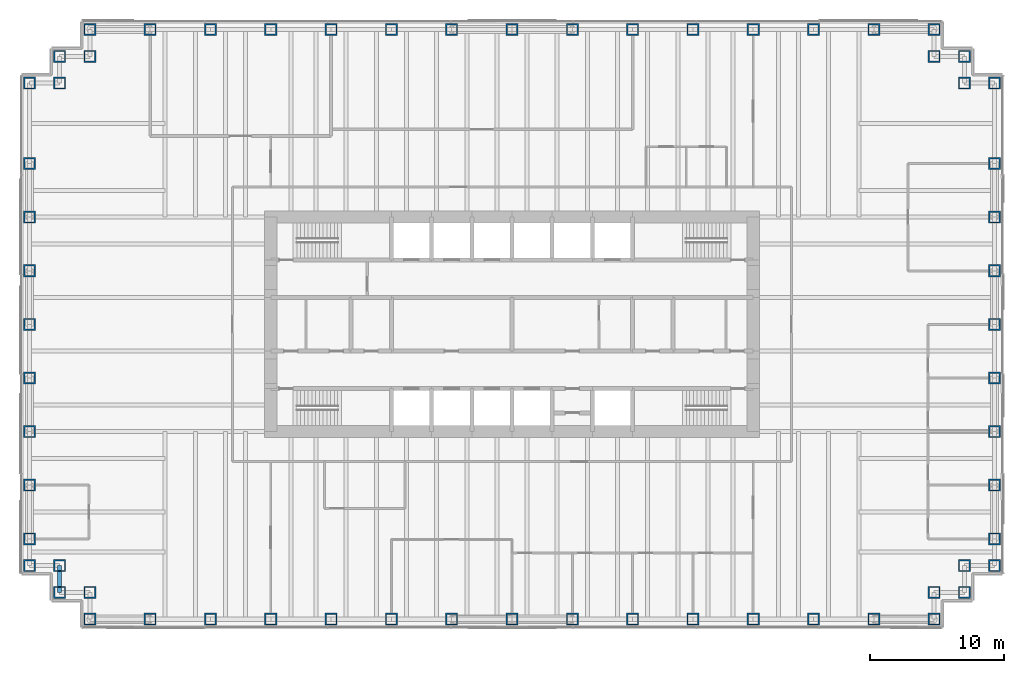
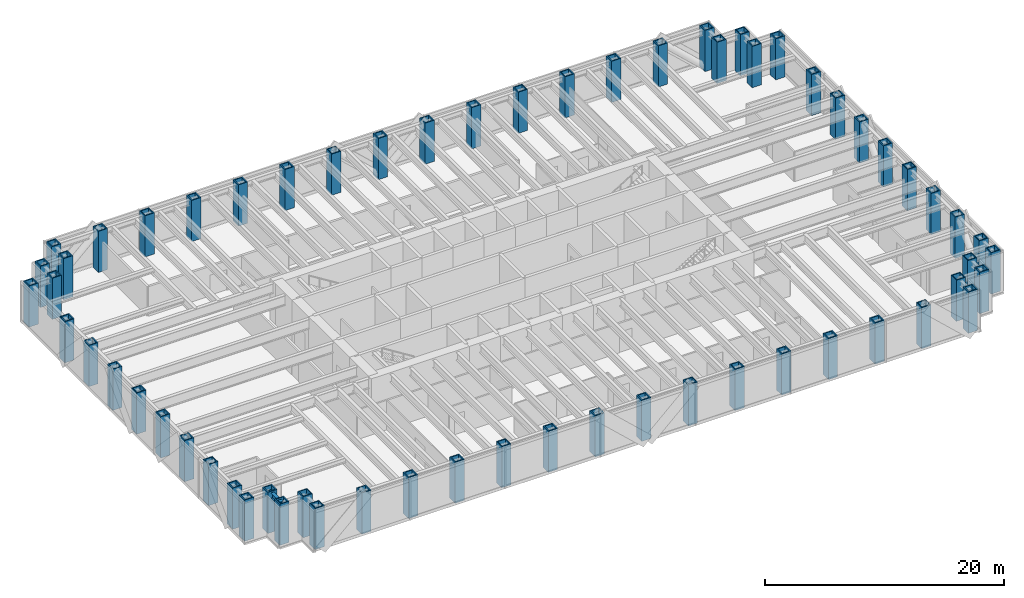
# One storey, part 1 of 15: 62 columns, 1 beam.
"""IFC4 building model written with IfcOpenShell, lengths in metres."""

from ifc_helpers import new_model, si_unit, direction, frame, origin, origin_2d, place, context, subcontext, project, spatial, hollow_rectangle, i_section, extrude, material, material_profile, profile_set, type_object, element, save


model = new_model("IFC4")

# Units and contexts
model_context = context("Model", 3, precision=1e-05, world=origin(), true_north=direction((0.0, 1.0)))
body_context = subcontext(model_context, "Body", "Model", "MODEL_VIEW")
ifc_project = project(units=[si_unit("LENGTHUNIT", "METRE"), si_unit("AREAUNIT", "SQUARE_METRE"), si_unit("VOLUMEUNIT", "CUBIC_METRE"), si_unit("PLANEANGLEUNIT", "RADIAN"), si_unit("MASSUNIT", "GRAM", prefix="KILO")], contexts=[model_context])

# Site, building, storey
site_placement = place(None, origin())
site = spatial("IfcSite", under=ifc_project, at=site_placement, CompositionType="ELEMENT")
building_placement = place(site_placement, origin())
building = spatial("IfcBuilding", under=site, at=building_placement, Name="Rheinbord Bourse Tower", CompositionType="ELEMENT")
storey_placement = place(building_placement, frame((0.0, 0.0, 125.699951171875)))
storey = spatial("IfcBuildingStorey", under=building, at=storey_placement, Name="L27", CompositionType="ELEMENT", Elevation=125.699951171875)

# Columns
ifc_material_1 = material(Name="Steel S460M", Category="steel")
ifc_material_profile_1 = material_profile(ifc_material_1, hollow_rectangle(XDim=0.89990234375, YDim=0.89990234375, WallThickness=0.10009765625, at=origin_2d()), Name="BOX 900x900x100")
ifc_profile_set_1 = profile_set([ifc_material_profile_1], Name="Steel S460M")
column_type = type_object("IfcColumnType", Name="TUBE COLUMN BOX 900x900x100", PredefinedType="COLUMN", material=ifc_profile_set_1)
for number, where, z_axis, x_axis, name in (
    (1, (4.5, 2.0, 0.0), (0.0, 0.0, 1.0), (0.0, 1.0, 0.0), "Column SW-E L27"),
    (2, (9.0, 2.0, 0.0), (0.0, 0.0, 1.0), (0.0, 1.0, 0.0), "Column S-9 L27"),
    (3, (13.5, 2.0, 0.0), (0.0, 0.0, 1.0), (0.0, 1.0, 0.0), "Column S-13.5 L27"),
    (4, (18.0, 2.0, 0.0), (0.0, 0.0, 1.0), (0.0, 1.0, 0.0), "Column S-18 L27"),
    (5, (22.5, 2.0, 0.0), (0.0, 0.0, 1.0), (0.0, 1.0, 0.0), "Column S-22.5 L27"),
    (6, (27.0, 2.0, 0.0), (0.0, 0.0, 1.0), (0.0, 1.0, 0.0), "Column S-27 L27"),
    (7, (31.5, 2.0, 0.0), (0.0, 0.0, 1.0), (0.0, 1.0, 0.0), "Column S-31.5 L27"),
    (8, (36.0, 2.0, 0.0), (0.0, 0.0, 1.0), (0.0, 1.0, 0.0), "Column S-36 L27"),
    (9, (40.5, 2.0, 0.0), (0.0, 0.0, 1.0), (0.0, 1.0, 0.0), "Column S-40.5 L27"),
    (10, (45.0, 2.0, 0.0), (0.0, 0.0, 1.0), (0.0, 1.0, 0.0), "Column S-45 L27"),
    (11, (49.5, 2.0, 0.0), (0.0, 0.0, 1.0), (0.0, 1.0, 0.0), "Column S-49.5 L27"),
    (12, (54.0, 2.0, 0.0), (0.0, 0.0, 1.0), (0.0, 1.0, 0.0), "Column S-54 L27"),
    (13, (58.5, 2.0, 0.0), (0.0, 0.0, 1.0), (0.0, 1.0, 0.0), "Column S-58.5 L27"),
    (14, (63.0, 2.0, 0.0), (0.0, 0.0, 1.0), (0.0, 1.0, 0.0), "Column S-63 L27"),
    (15, (67.5, 2.0, 0.0), (0.0, 0.0, 1.0), (0.0, 1.0, 0.0), "Column SE-E L27"),
    (16, (67.5, 4.0, 0.0), (0.0, 0.0, 1.0), (0.0, 1.0, 0.0), "Column SE-D L27"),
    (17, (69.75, 4.0, 0.0), (0.0, 0.0, 1.0), (1.0, 0.0, 0.0), "Column SE-C L27"),
    (18, (69.75, 6.0, 0.0), (0.0, 0.0, 1.0), (1.0, 0.0, 0.0), "Column SE-B L27"),
    (19, (72.0, 6.0, 0.0), (0.0, 0.0, 1.0), (1.0, 0.0, 0.0), "Column SE-A L27"),
    (20, (72.0, 8.0, 0.0), (0.0, 0.0, 1.0), (1.0, 0.0, 0.0), "Column E-8 L27"),
    (21, (72.0, 12.0, 0.0), (0.0, 0.0, 1.0), (1.0, 0.0, 0.0), "Column E-12 L27"),
    (22, (72.0, 16.0, 0.0), (0.0, 0.0, 1.0), (1.0, 0.0, 0.0), "Column E-16 L27"),
    (23, (72.0, 20.0, 0.0), (0.0, 0.0, 1.0), (1.0, 0.0, 0.0), "Column E-20 L27"),
    (24, (72.0, 24.0, 0.0), (0.0, 0.0, 1.0), (1.0, 0.0, 0.0), "Column E-24 L27"),
    (25, (72.0, 28.0, 0.0), (0.0, 0.0, 1.0), (1.0, 0.0, 0.0), "Column E-28 L27"),
    (26, (72.0, 32.0, 0.0), (0.0, 0.0, 1.0), (1.0, 0.0, 0.0), "Column E-32 L27"),
    (27, (72.0, 36.0, 0.0), (0.0, 0.0, 1.0), (1.0, 0.0, 0.0), "Column E-36 L27"),
    (28, (72.0, 42.0, 0.0), (0.0, 0.0, 1.0), (1.0, 0.0, 0.0), "Column NE-A L27"),
    (29, (69.75, 42.0, 0.0), (0.0, 0.0, 1.0), (1.0, 0.0, 0.0), "Column NE-B L27"),
    (30, (69.75, 44.0, 0.0), (0.0, 0.0, 1.0), (1.0, 0.0, 0.0), "Column NE-C L27"),
    (31, (67.5, 44.0, 0.0), (0.0, 0.0, 1.0), (0.0, 1.0, 0.0), "Column NE-D L27"),
    (32, (67.5, 46.0, 0.0), (0.0, 0.0, 1.0), (0.0, 1.0, 0.0), "Column NE-E L27"),
    (33, (63.0, 46.0, 0.0), (0.0, 0.0, 1.0), (0.0, 1.0, 0.0), "Column N-63 L27"),
    (34, (58.5, 46.0, 0.0), (0.0, 0.0, 1.0), (0.0, 1.0, 0.0), "Column N-58.5 L27"),
    (35, (54.0, 46.0, 0.0), (0.0, 0.0, 1.0), (0.0, 1.0, 0.0), "Column N-54 L27"),
    (36, (49.5, 46.0, 0.0), (0.0, 0.0, 1.0), (0.0, 1.0, 0.0), "Column N-49.5 L27"),
    (37, (45.0, 46.0, 0.0), (0.0, 0.0, 1.0), (0.0, 1.0, 0.0), "Column N-45 L27"),
    (38, (40.5, 46.0, 0.0), (0.0, 0.0, 1.0), (0.0, 1.0, 0.0), "Column N-40.5 L27"),
    (39, (36.0, 46.0, 0.0), (0.0, 0.0, 1.0), (0.0, 1.0, 0.0), "Column N-36 L27"),
    (40, (31.5, 46.0, 0.0), (0.0, 0.0, 1.0), (0.0, 1.0, 0.0), "Column N-31.5 L27"),
    (41, (27.0, 46.0, 0.0), (0.0, 0.0, 1.0), (0.0, 1.0, 0.0), "Column N-27 L27"),
    (42, (22.5, 46.0, 0.0), (0.0, 0.0, 1.0), (0.0, 1.0, 0.0), "Column N-22.5 L27"),
    (43, (18.0, 46.0, 0.0), (0.0, 0.0, 1.0), (0.0, 1.0, 0.0), "Column N-18 L27"),
    (44, (13.5, 46.0, 0.0), (0.0, 0.0, 1.0), (0.0, 1.0, 0.0), "Column N-13.5 L27"),
    (45, (9.0, 46.0, 0.0), (0.0, 0.0, 1.0), (0.0, 1.0, 0.0), "Column N-9 L27"),
    (46, (4.5, 46.0, 0.0), (0.0, 0.0, 1.0), (0.0, 1.0, 0.0), "Column NW-E L27"),
    (47, (4.5, 44.0, 0.0), (0.0, 0.0, 1.0), (0.0, 1.0, 0.0), "Column NW-D L27"),
    (48, (2.25, 44.0, 0.0), (0.0, 0.0, 1.0), (1.0, 0.0, 0.0), "Column NW-C L27"),
    (49, (2.25, 42.0, 0.0), (0.0, 0.0, 1.0), (1.0, 0.0, 0.0), "Column NW-B L27"),
    (50, (0.0, 42.0, 0.0), (0.0, 0.0, 1.0), (1.0, 0.0, 0.0), "Column NW-A L27"),
    (51, (0.0, 36.0, 0.0), (0.0, 0.0, 1.0), (1.0, 0.0, 0.0), "Column W-36 L27"),
    (52, (0.0, 32.0, 0.0), (0.0, 0.0, 1.0), (1.0, 0.0, 0.0), "Column W-32 L27"),
    (53, (0.0, 28.0, 0.0), (0.0, 0.0, 1.0), (1.0, 0.0, 0.0), "Column W-28 L27"),
    (54, (0.0, 24.0, 0.0), (0.0, 0.0, 1.0), (1.0, 0.0, 0.0), "Column W-24 L27"),
    (55, (0.0, 20.0, 0.0), (0.0, 0.0, 1.0), (1.0, 0.0, 0.0), "Column W-20 L27"),
    (56, (0.0, 16.0, 0.0), (0.0, 0.0, 1.0), (1.0, 0.0, 0.0), "Column W-16 L27"),
    (57, (0.0, 12.0, 0.0), (0.0, 0.0, 1.0), (1.0, 0.0, 0.0), "Column W-12 L27"),
    (58, (0.0, 8.0, 0.0), (0.0, 0.0, 1.0), (1.0, 0.0, 0.0), "Column W-8 L27"),
    (59, (0.0, 6.0, 0.0), (0.0, 0.0, 1.0), (1.0, 0.0, 0.0), "Column SW-A L27"),
    (60, (2.25, 6.0, 0.0), (0.0, 0.0, 1.0), (1.0, 0.0, 0.0), "Column SW-B L27"),
    (61, (2.25, 4.0, 0.0), (0.0, 0.0, 1.0), (1.0, 0.0, 0.0), "Column SW-C L27"),
    (62, (4.5, 4.0, 0.0), (0.0, 0.0, 1.0), (0.0, 1.0, 0.0), "Column SW-D L27"),
):
    element("IfcColumn", number, at=place(storey_placement, frame(where, z_axis=z_axis, x_axis=x_axis)), inside=storey, type_object=column_type, Name=name, PredefinedType="COLUMN", context=body_context, shape_type="SweptSolid", body=[
        extrude(hollow_rectangle(XDim=0.89990234375, YDim=0.89990234375, WallThickness=0.10009765625, at=origin_2d()), origin(), (0.0, 0.0, 1.0), 4.199951171875),
    ])

# Beam
ifc_material_2 = material(Name="Steel S460", Category="steel")
ifc_material_profile_2 = material_profile(ifc_material_2, i_section(OverallWidth=0.305908203125, OverallDepth=0.572021484375, WebThickness=0.02099609375, FlangeThickness=0.0400390625, at=origin_2d()), Name="HEM 550")
ifc_profile_set_2 = profile_set([ifc_material_profile_2], Name="Steel S460")
beam_type = type_object("IfcBeamType", Name="SPANDREL HEM 550", PredefinedType="SPANDREL", material=ifc_profile_set_2)
beam_placement = place(storey_placement, frame((2.25, 6.0, 3.754150390625), z_axis=(0.0, -1.0, 0.0), x_axis=(1.0, 0.0, 0.0)))
element("IfcBeam", 63, at=beam_placement, inside=storey, type_object=beam_type, Name="Spandrel SW-B-SW-C under L28", PredefinedType="SPANDREL", context=body_context, shape_type="SweptSolid", body=[
    extrude(i_section(OverallWidth=0.305908203125, OverallDepth=0.572021484375, WebThickness=0.02099609375, FlangeThickness=0.0400390625, at=origin_2d()), origin(), (0.0, 0.0, 1.0), 2.0),
])

save(model, "model.ifc")
